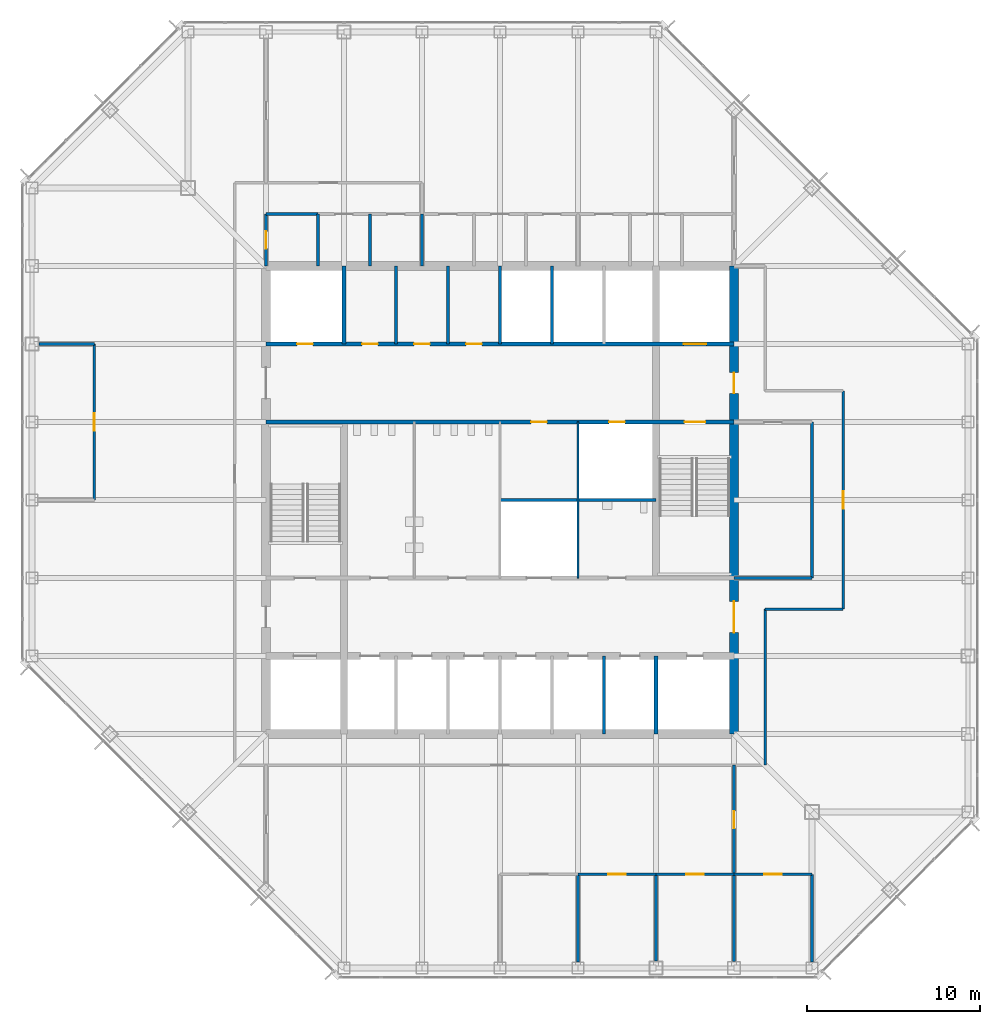
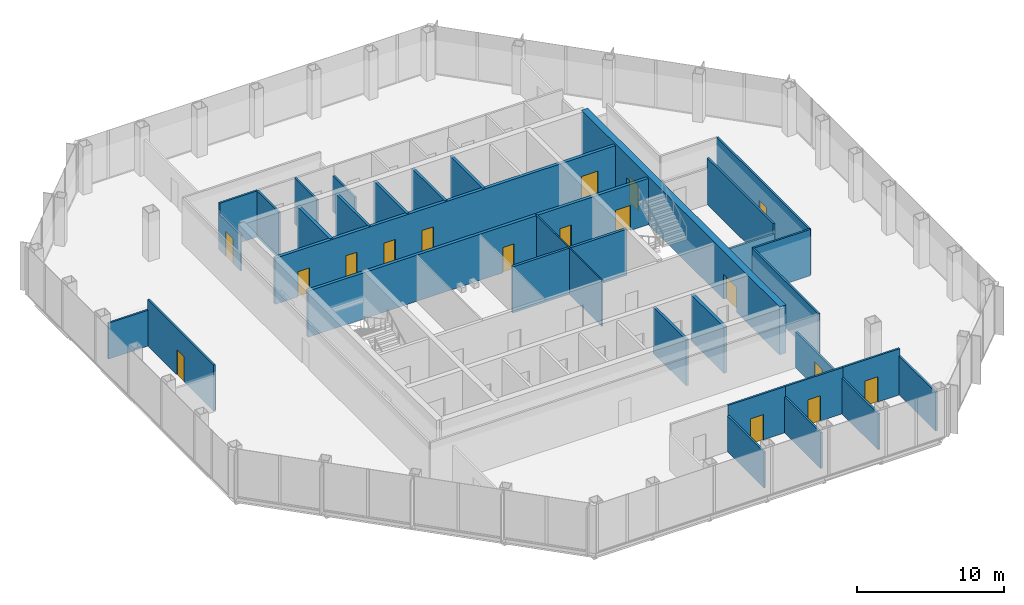
# One storey, part 9 of 12: 32 walls, 17 doors, 17 openings.
"""IFC4 building model written with IfcOpenShell, lengths in metres."""

from ifc_helpers import new_model, si_unit, direction, frame, frame_2d, origin, place, context, subcontext, project, spatial, rectangle, extrude, material, layer, layer_set, type_object, element, fill, save


model = new_model("IFC4")

# Units and contexts
model_context = context("Model", 3, precision=1e-05, world=origin(), true_north=direction((0.0, 1.0)))
body_context = subcontext(model_context, "Body", "Model", "MODEL_VIEW")
ifc_project = project(units=[si_unit("LENGTHUNIT", "METRE"), si_unit("AREAUNIT", "SQUARE_METRE"), si_unit("VOLUMEUNIT", "CUBIC_METRE"), si_unit("PLANEANGLEUNIT", "RADIAN"), si_unit("MASSUNIT", "GRAM", prefix="KILO")], contexts=[model_context])

# Site, building, storey
site_placement = place(None, origin())
site = spatial("IfcSite", under=ifc_project, at=site_placement, CompositionType="ELEMENT")
building_placement = place(site_placement, origin())
building = spatial("IfcBuilding", under=site, at=building_placement, Name="Corais Broadcast Tower", CompositionType="ELEMENT")
storey_placement = place(building_placement, frame((0.0, 0.0, 159.60009765625)))
storey = spatial("IfcBuildingStorey", under=building, at=storey_placement, Name="L36", CompositionType="ELEMENT", Elevation=159.60009765625)

# Walls
ifc_material_1 = material(Name="Concrete blockwork class A, grouted, two-hour", Category="masonry")
ifc_layer_1 = layer(ifc_material_1, 0.25)
ifc_layer_set_1 = layer_set([ifc_layer_1], Name="Concrete blockwork class A, grouted, two-hour")
wall_type_1 = type_object("IfcWallType", Name="Core lobby wall 250", PredefinedType="SOLIDWALL", material=ifc_layer_set_1)
for number, where, z_axis, x_axis, name in (
    (1, (18.0, 36.0, 0.0), (0.0, 0.0, 1.0), (0.0, 1.0, 0.0), "CL2 core shaft wall X18B L36"),
    (2, (36.0, 13.5, 0.0), (0.0, 0.0, 1.0), (0.0, 1.0, 0.0), "CL2 core shaft wall X36A L36"),
):
    element("IfcWall", number, at=place(storey_placement, frame(where, z_axis=z_axis, x_axis=x_axis)), inside=storey, type_object=wall_type_1, Name=name, PredefinedType="SOLIDWALL", context=body_context, shape_type="SweptSolid", body=[
        extrude(rectangle(XDim=4.5, YDim=0.25, at=frame_2d((2.25, 0.0))), origin(), (0.0, 0.0, 1.0), 3.83984375),
    ])

# Wall, openings, doors
wall_1_placement = place(storey_placement, frame((13.5, 31.5, 0.0), z_axis=(0.0, 0.0, 1.0), x_axis=(1.0, 0.0, 0.0)))
wall_1 = element("IfcWall", 3, at=wall_1_placement, inside=storey, type_object=wall_type_1, Name="CL2 core lobby wall Y315 L36", PredefinedType="SOLIDWALL", context=body_context, shape_type="SweptSolid", body=[
    extrude(rectangle(XDim=27.0, YDim=0.25, at=frame_2d((13.5, 0.0))), origin(), (0.0, 0.0, 1.0), 3.83984375),
])
opening_1_placement = place(wall_1_placement, frame((24.14990234375, 0.0, 0.0)))
opening_1 = element("IfcOpeningElement", 4, at=opening_1_placement, cuts=wall_1, Name="Opening FD1", PredefinedType="OPENING", context=body_context, shape_type="SweptSolid", body=[
    extrude(rectangle(XDim=1.199951171875, YDim=2.10009765625, at=frame_2d((0.60009765625, 1.050048828125))), frame((0.0, 0.135009765625, 0.0), z_axis=(0.0, -1.0, 0.0), x_axis=(1.0, 0.0, 0.0)), (0.0, 0.0, 1.0), 0.27001953125),
])
opening_2_placement = place(wall_1_placement, frame((15.300048828125, 0.0, 0.0)))
opening_2 = element("IfcOpeningElement", 5, at=opening_2_placement, cuts=wall_1, Name="Opening RD1", PredefinedType="OPENING", context=body_context, shape_type="SweptSolid", body=[
    extrude(rectangle(XDim=0.89990234375, YDim=2.10009765625, at=frame_2d((0.449951171875, 1.050048828125))), frame((0.0, 0.135009765625, 0.0), z_axis=(0.0, -1.0, 0.0), x_axis=(1.0, 0.0, 0.0)), (0.0, 0.0, 1.0), 0.27001953125),
])
opening_3_placement = place(wall_1_placement, frame((19.800048828125, 0.0, 0.0)))
opening_3 = element("IfcOpeningElement", 6, at=opening_3_placement, cuts=wall_1, Name="Opening RD1", PredefinedType="OPENING", context=body_context, shape_type="SweptSolid", body=[
    extrude(rectangle(XDim=0.89990234375, YDim=2.10009765625, at=frame_2d((0.449951171875, 1.050048828125))), frame((0.0, 0.135009765625, 0.0), z_axis=(0.0, -1.0, 0.0), x_axis=(1.0, 0.0, 0.0)), (0.0, 0.0, 1.0), 0.27001953125),
])
ifc_material_2 = material(Name="Steel fire door", Category="steel")
door_type_1 = type_object("IfcDoorType", Name="Fire door 1200x2100", OperationType="SINGLE_SWING_LEFT", PredefinedType="DOOR", material=ifc_material_2)
door_1_placement = place(opening_1_placement, origin())
door_1 = element("IfcDoor", 7, at=door_1_placement, inside=storey, type_object=door_type_1, Name="FD1 stair B door L36", OperationType="SINGLE_SWING_RIGHT", OverallHeight=2.10009765625, OverallWidth=1.199951171875, PredefinedType="DOOR", context=body_context, shape_type="SweptSolid", body=[
    extrude(rectangle(XDim=1.199951171875, YDim=2.10009765625, at=frame_2d((0.60009765625, 1.050048828125))), frame((0.0, 0.02490234375, 0.0), z_axis=(0.0, -1.0, 0.0), x_axis=(1.0, 0.0, 0.0)), (0.0, 0.0, 1.0), 0.050048828125),
])
fill(opening_1, door_1)
ifc_material_3 = material(Name="Steel fire door", Category="steel")
door_type_2 = type_object("IfcDoorType", Name="Riser door 900x2100", OperationType="SINGLE_SWING_LEFT", PredefinedType="DOOR", material=ifc_material_3)
door_2_placement = place(opening_2_placement, origin())
door_2 = element("IfcDoor", 8, at=door_2_placement, inside=storey, type_object=door_type_2, Name="RD1 tea point door L36", OperationType="SINGLE_SWING_RIGHT", OverallHeight=2.10009765625, OverallWidth=0.89990234375, PredefinedType="DOOR", context=body_context, shape_type="SweptSolid", body=[
    extrude(rectangle(XDim=0.89990234375, YDim=2.10009765625, at=frame_2d((0.449951171875, 1.050048828125))), frame((0.0, 0.02490234375, 0.0), z_axis=(0.0, -1.0, 0.0), x_axis=(1.0, 0.0, 0.0)), (0.0, 0.0, 1.0), 0.050048828125),
])
fill(opening_2, door_2)
door_3_placement = place(opening_3_placement, origin())
door_3 = element("IfcDoor", 9, at=door_3_placement, inside=storey, type_object=door_type_2, Name="RD1 riser door L36", OperationType="SINGLE_SWING_RIGHT", OverallHeight=2.10009765625, OverallWidth=0.89990234375, PredefinedType="DOOR", context=body_context, shape_type="SweptSolid", body=[
    extrude(rectangle(XDim=0.89990234375, YDim=2.10009765625, at=frame_2d((0.449951171875, 1.050048828125))), frame((0.0, 0.02490234375, 0.0), z_axis=(0.0, -1.0, 0.0), x_axis=(1.0, 0.0, 0.0)), (0.0, 0.0, 1.0), 0.050048828125),
])
fill(opening_3, door_3)

ifc_material_4 = material(Name="Concrete C50/60", Category="concrete")
ifc_layer_2 = layer(ifc_material_4, 0.5)
ifc_layer_set_2 = layer_set([ifc_layer_2], Name="Concrete C50/60")
wall_type_2 = type_object("IfcWallType", Name="Core wall 500", PredefinedType="SHEAR", material=ifc_layer_set_2)
wall_2_placement = place(storey_placement, frame((40.5, 13.5, 0.0), z_axis=(0.0, 0.0, 1.0), x_axis=(0.0, 1.0, 0.0)))
wall_2 = element("IfcWall", 10, at=wall_2_placement, inside=storey, type_object=wall_type_2, Name="CR500 core wall E L36", PredefinedType="SHEAR", context=body_context, shape_type="SweptSolid", body=[
    extrude(rectangle(XDim=27.0, YDim=0.5, at=frame_2d((13.5, 0.0))), origin(), (0.0, 0.0, 1.0), 4.0),
])
opening_4_placement = place(wall_2_placement, frame((5.85009765625, 0.0, 0.0)))
opening_4 = element("IfcOpeningElement", 11, at=opening_4_placement, cuts=wall_2, Name="Opening FD2", PredefinedType="OPENING", context=body_context, shape_type="SweptSolid", body=[
    extrude(rectangle(XDim=1.800048828125, YDim=2.10009765625, at=frame_2d((0.89990234375, 1.050048828125))), frame((0.0, 0.260009765625, 0.0), z_axis=(0.0, -1.0, 0.0), x_axis=(1.0, 0.0, 0.0)), (0.0, 0.0, 1.0), 0.52001953125),
])
opening_5_placement = place(wall_2_placement, frame((19.64990234375, 0.0, 0.0)))
opening_5 = element("IfcOpeningElement", 12, at=opening_5_placement, cuts=wall_2, Name="Opening FD1", PredefinedType="OPENING", context=body_context, shape_type="SweptSolid", body=[
    extrude(rectangle(XDim=1.199951171875, YDim=2.10009765625, at=frame_2d((0.60009765625, 1.050048828125))), frame((0.0, 0.260009765625, 0.0), z_axis=(0.0, -1.0, 0.0), x_axis=(1.0, 0.0, 0.0)), (0.0, 0.0, 1.0), 0.52001953125),
])
door_4_placement = place(opening_5_placement, origin())
door_4 = element("IfcDoor", 13, at=door_4_placement, inside=storey, type_object=door_type_1, Name="FD1 fire lobby B door L36", OperationType="SINGLE_SWING_RIGHT", OverallHeight=2.10009765625, OverallWidth=1.199951171875, PredefinedType="DOOR", context=body_context, shape_type="SweptSolid", body=[
    extrude(rectangle(XDim=1.199951171875, YDim=2.10009765625, at=frame_2d((0.60009765625, 1.050048828125))), frame((0.0, 0.02490234375, 0.0), z_axis=(0.0, -1.0, 0.0), x_axis=(1.0, 0.0, 0.0)), (0.0, 0.0, 1.0), 0.050048828125),
])
fill(opening_5, door_4)
ifc_material_5 = material(Name="Steel fire door", Category="steel")
door_type_3 = type_object("IfcDoorType", Name="Fire door pair 1800x2100", OperationType="DOUBLE_DOOR_SINGLE_SWING", PredefinedType="DOOR", material=ifc_material_5)
door_5_placement = place(opening_4_placement, origin())
door_5 = element("IfcDoor", 14, at=door_5_placement, inside=storey, type_object=door_type_3, Name="FD2 lift lobby door L36", OperationType="SINGLE_SWING_LEFT", OverallHeight=2.10009765625, OverallWidth=1.800048828125, PredefinedType="DOOR", context=body_context, shape_type="SweptSolid", body=[
    extrude(rectangle(XDim=1.800048828125, YDim=2.10009765625, at=frame_2d((0.89990234375, 1.050048828125))), frame((0.0, 0.02490234375, 0.0), z_axis=(0.0, -1.0, 0.0), x_axis=(1.0, 0.0, 0.0)), (0.0, 0.0, 1.0), 0.050048828125),
])
fill(opening_4, door_5)

ifc_material_6 = material(Name="Concrete blockwork class A, grouted, four-hour", Category="masonry")
ifc_layer_3 = layer(ifc_material_6, 0.25)
ifc_layer_set_3 = layer_set([ifc_layer_3], Name="Concrete blockwork class A, grouted, four-hour")
wall_type_3 = type_object("IfcWallType", Name="Emergency lift shaft wall 250", PredefinedType="SOLIDWALL", material=ifc_layer_set_3)
wall_3_placement = place(storey_placement, frame((13.5, 36.0, 0.0), z_axis=(0.0, 0.0, 1.0), x_axis=(1.0, 0.0, 0.0)))
wall_3 = element("IfcWall", 15, at=wall_3_placement, inside=storey, type_object=wall_type_3, Name="LS2 core lobby wall Y36 L36", PredefinedType="SOLIDWALL", context=body_context, shape_type="SweptSolid", body=[
    extrude(rectangle(XDim=27.0, YDim=0.25, at=frame_2d((13.5, 0.0))), origin(), (0.0, 0.0, 1.0), 3.83984375),
])
opening_6_placement = place(wall_3_placement, frame((1.800048828125, 0.0, 0.0)))
opening_6 = element("IfcOpeningElement", 16, at=opening_6_placement, cuts=wall_3, Name="Opening RD1", PredefinedType="OPENING", context=body_context, shape_type="SweptSolid", body=[
    extrude(rectangle(XDim=0.89990234375, YDim=2.10009765625, at=frame_2d((0.449951171875, 1.050048828125))), frame((0.0, 0.135009765625, 0.0), z_axis=(0.0, -1.0, 0.0), x_axis=(1.0, 0.0, 0.0)), (0.0, 0.0, 1.0), 0.27001953125),
])
opening_7_placement = place(wall_3_placement, frame((5.550048828125, 0.0, 0.0)))
opening_7 = element("IfcOpeningElement", 17, at=opening_7_placement, cuts=wall_3, Name="Opening RD1", PredefinedType="OPENING", context=body_context, shape_type="SweptSolid", body=[
    extrude(rectangle(XDim=0.89990234375, YDim=2.10009765625, at=frame_2d((0.449951171875, 1.050048828125))), frame((0.0, 0.135009765625, 0.0), z_axis=(0.0, -1.0, 0.0), x_axis=(1.0, 0.0, 0.0)), (0.0, 0.0, 1.0), 0.27001953125),
])
opening_8_placement = place(wall_3_placement, frame((8.550048828125, 0.0, 0.0)))
opening_8 = element("IfcOpeningElement", 18, at=opening_8_placement, cuts=wall_3, Name="Opening RD1", PredefinedType="OPENING", context=body_context, shape_type="SweptSolid", body=[
    extrude(rectangle(XDim=0.89990234375, YDim=2.10009765625, at=frame_2d((0.449951171875, 1.050048828125))), frame((0.0, 0.135009765625, 0.0), z_axis=(0.0, -1.0, 0.0), x_axis=(1.0, 0.0, 0.0)), (0.0, 0.0, 1.0), 0.27001953125),
])
opening_9_placement = place(wall_3_placement, frame((11.550048828125, 0.0, 0.0)))
opening_9 = element("IfcOpeningElement", 19, at=opening_9_placement, cuts=wall_3, Name="Opening RD1", PredefinedType="OPENING", context=body_context, shape_type="SweptSolid", body=[
    extrude(rectangle(XDim=0.89990234375, YDim=2.10009765625, at=frame_2d((0.449951171875, 1.050048828125))), frame((0.0, 0.135009765625, 0.0), z_axis=(0.0, -1.0, 0.0), x_axis=(1.0, 0.0, 0.0)), (0.0, 0.0, 1.0), 0.27001953125),
])
opening_10_placement = place(wall_3_placement, frame((24.10009765625, 0.0, 0.0)))
opening_10 = element("IfcOpeningElement", 20, at=opening_10_placement, cuts=wall_3, Name="Opening LD2", PredefinedType="OPENING", context=body_context, shape_type="SweptSolid", body=[
    extrude(rectangle(XDim=1.300048828125, YDim=2.199951171875, at=frame_2d((0.64990234375, 1.10009765625))), frame((0.0, 0.135009765625, 0.0), z_axis=(0.0, -1.0, 0.0), x_axis=(1.0, 0.0, 0.0)), (0.0, 0.0, 1.0), 0.27001953125),
])
ifc_material_7 = material(Name="Stainless steel lift door", Category="steel")
door_type_4 = type_object("IfcDoorType", Name="Lift landing door 1300x2200", OperationType="SLIDING_TO_LEFT", PredefinedType="DOOR", material=ifc_material_7)
door_6_placement = place(opening_10_placement, origin())
door_6 = element("IfcDoor", 21, at=door_6_placement, inside=storey, type_object=door_type_4, Name="LD2 FL2 landing door L36", OperationType="SLIDING_TO_LEFT", OverallHeight=2.199951171875, OverallWidth=1.300048828125, PredefinedType="DOOR", context=body_context, shape_type="SweptSolid", body=[
    extrude(rectangle(XDim=1.300048828125, YDim=2.199951171875, at=frame_2d((0.64990234375, 1.10009765625))), frame((0.0, 0.02490234375, 0.0), z_axis=(0.0, -1.0, 0.0), x_axis=(1.0, 0.0, 0.0)), (0.0, 0.0, 1.0), 0.050048828125),
])
fill(opening_10, door_6)
door_7_placement = place(opening_6_placement, origin())
door_7 = element("IfcDoor", 22, at=door_7_placement, inside=storey, type_object=door_type_2, Name="RD1 riser door L36", OperationType="SINGLE_SWING_LEFT", OverallHeight=2.10009765625, OverallWidth=0.89990234375, PredefinedType="DOOR", context=body_context, shape_type="SweptSolid", body=[
    extrude(rectangle(XDim=0.89990234375, YDim=2.10009765625, at=frame_2d((0.449951171875, 1.050048828125))), frame((0.0, 0.02490234375, 0.0), z_axis=(0.0, -1.0, 0.0), x_axis=(1.0, 0.0, 0.0)), (0.0, 0.0, 1.0), 0.050048828125),
])
fill(opening_6, door_7)
door_8_placement = place(opening_7_placement, origin())
door_8 = element("IfcDoor", 23, at=door_8_placement, inside=storey, type_object=door_type_2, Name="RD1 media store door L36", OperationType="SINGLE_SWING_LEFT", OverallHeight=2.10009765625, OverallWidth=0.89990234375, PredefinedType="DOOR", context=body_context, shape_type="SweptSolid", body=[
    extrude(rectangle(XDim=0.89990234375, YDim=2.10009765625, at=frame_2d((0.449951171875, 1.050048828125))), frame((0.0, 0.02490234375, 0.0), z_axis=(0.0, -1.0, 0.0), x_axis=(1.0, 0.0, 0.0)), (0.0, 0.0, 1.0), 0.050048828125),
])
fill(opening_7, door_8)
door_9_placement = place(opening_8_placement, origin())
door_9 = element("IfcDoor", 24, at=door_9_placement, inside=storey, type_object=door_type_2, Name="RD1 locker room door L36", OperationType="SINGLE_SWING_LEFT", OverallHeight=2.10009765625, OverallWidth=0.89990234375, PredefinedType="DOOR", context=body_context, shape_type="SweptSolid", body=[
    extrude(rectangle(XDim=0.89990234375, YDim=2.10009765625, at=frame_2d((0.449951171875, 1.050048828125))), frame((0.0, 0.02490234375, 0.0), z_axis=(0.0, -1.0, 0.0), x_axis=(1.0, 0.0, 0.0)), (0.0, 0.0, 1.0), 0.050048828125),
])
fill(opening_8, door_9)
door_10_placement = place(opening_9_placement, origin())
door_10 = element("IfcDoor", 25, at=door_10_placement, inside=storey, type_object=door_type_2, Name="RD1 print room door L36", OperationType="SINGLE_SWING_LEFT", OverallHeight=2.10009765625, OverallWidth=0.89990234375, PredefinedType="DOOR", context=body_context, shape_type="SweptSolid", body=[
    extrude(rectangle(XDim=0.89990234375, YDim=2.10009765625, at=frame_2d((0.449951171875, 1.050048828125))), frame((0.0, 0.02490234375, 0.0), z_axis=(0.0, -1.0, 0.0), x_axis=(1.0, 0.0, 0.0)), (0.0, 0.0, 1.0), 0.050048828125),
])
fill(opening_9, door_10)

# Wall, opening, door
ifc_material_8 = material(Name="Gypsum board on steel studs", Category="steel")
ifc_layer_4 = layer(ifc_material_8, 0.14990234375)
ifc_layer_set_4 = layer_set([ifc_layer_4], Name="Gypsum board on steel studs")
wall_type_4 = type_object("IfcWallType", Name="Partition 150", PredefinedType="PARTITIONING", material=ifc_layer_set_4)
wall_4_placement = place(storey_placement, frame((46.800048828125, 20.699951171875, 0.0), z_axis=(0.0, 0.0, 1.0), x_axis=(0.0, 1.0, 0.0)))
wall_4 = element("IfcWall", 26, at=wall_4_placement, inside=storey, type_object=wall_type_4, Name="IW3 corridor wall L36", PredefinedType="PARTITIONING", context=body_context, shape_type="SweptSolid", body=[
    extrude(rectangle(XDim=12.60009765625, YDim=0.14990234375, at=frame_2d((6.300048828125, 0.0))), origin(), (0.0, 0.0, 1.0), 3.83984375),
])
opening_11_placement = place(wall_4_placement, frame((5.800048828125, 0.0, 0.0)))
opening_11 = element("IfcOpeningElement", 27, at=opening_11_placement, cuts=wall_4, Name="Opening D1", PredefinedType="OPENING", context=body_context, shape_type="SweptSolid", body=[
    extrude(rectangle(XDim=1.0, YDim=2.10009765625, at=frame_2d((0.5, 1.050048828125))), frame((0.0, 0.0849609375, 0.0), z_axis=(0.0, -1.0, 0.0), x_axis=(1.0, 0.0, 0.0)), (0.0, 0.0, 1.0), 0.169921875),
])
ifc_material_9 = material(Name="Timber door", Category="wood")
door_type_5 = type_object("IfcDoorType", Name="Single door 1000x2100", OperationType="SINGLE_SWING_LEFT", PredefinedType="DOOR", material=ifc_material_9)
door_11_placement = place(opening_11_placement, origin())
door_11 = element("IfcDoor", 28, at=door_11_placement, inside=storey, type_object=door_type_5, Name="D1 workplace door L36", OperationType="SINGLE_SWING_LEFT", OverallHeight=2.10009765625, OverallWidth=1.0, PredefinedType="DOOR", context=body_context, shape_type="SweptSolid", body=[
    extrude(rectangle(XDim=1.0, YDim=2.10009765625, at=frame_2d((0.5, 1.050048828125))), frame((0.0, 0.02490234375, 0.0), z_axis=(0.0, -1.0, 0.0), x_axis=(1.0, 0.0, 0.0)), (0.0, 0.0, 1.0), 0.050048828125),
])
fill(opening_11, door_11)

# Walls
wall_5_placement = place(storey_placement, frame((42.300048828125, 11.699951171875, 0.0), z_axis=(0.0, 0.0, 1.0), x_axis=(0.0, 1.0, 0.0)))
element("IfcWall", 29, at=wall_5_placement, inside=storey, type_object=wall_type_4, Name="IW3 corridor wall L36", PredefinedType="PARTITIONING", context=body_context, shape_type="SweptSolid", body=[
    extrude(rectangle(XDim=9.0, YDim=0.14990234375, at=frame_2d((4.5, 0.0))), origin(), (0.0, 0.0, 1.0), 3.83984375),
])
wall_6_placement = place(storey_placement, frame((42.300048828125, 20.699951171875, 0.0), z_axis=(0.0, 0.0, 1.0), x_axis=(1.0, 0.0, 0.0)))
element("IfcWall", 30, at=wall_6_placement, inside=storey, type_object=wall_type_4, Name="IW3 corridor wall L36", PredefinedType="PARTITIONING", context=body_context, shape_type="SweptSolid", body=[
    extrude(rectangle(XDim=4.5, YDim=0.14990234375, at=frame_2d((2.25, 0.0))), origin(), (0.0, 0.0, 1.0), 3.83984375),
])
for number, where, z_axis, x_axis, name in (
    (31, (16.5, 40.5, 0.0), (0.0, 0.0, 1.0), (0.0, 1.0, 0.0), "IW3 partition L36"),
    (32, (16.5, 43.5, 0.0), (0.0, 0.0, 1.0), (-1.0, 0.0, 0.0), "IW3 partition L36"),
):
    element("IfcWall", number, at=place(storey_placement, frame(where, z_axis=z_axis, x_axis=x_axis)), inside=storey, type_object=wall_type_4, Name=name, PredefinedType="PARTITIONING", context=body_context, shape_type="SweptSolid", body=[
        extrude(rectangle(XDim=3.0, YDim=0.14990234375, at=frame_2d((1.5, 0.0))), origin(), (0.0, 0.0, 1.0), 3.83984375),
    ])

# Wall, opening, door
wall_7_placement = place(storey_placement, frame((13.5, 43.5, 0.0), z_axis=(0.0, 0.0, 1.0), x_axis=(0.0, -1.0, 0.0)))
wall_7 = element("IfcWall", 33, at=wall_7_placement, inside=storey, type_object=wall_type_4, Name="IW3 partition L36", PredefinedType="PARTITIONING", context=body_context, shape_type="SweptSolid", body=[
    extrude(rectangle(XDim=3.0, YDim=0.14990234375, at=frame_2d((1.5, 0.0))), origin(), (0.0, 0.0, 1.0), 2.989013671875),
])
opening_12_placement = place(wall_7_placement, frame((1.0, 0.0, 0.0)))
opening_12 = element("IfcOpeningElement", 34, at=opening_12_placement, cuts=wall_7, Name="Opening D1", PredefinedType="OPENING", context=body_context, shape_type="SweptSolid", body=[
    extrude(rectangle(XDim=1.0, YDim=2.10009765625, at=frame_2d((0.5, 1.050048828125))), frame((0.0, 0.0849609375, 0.0), z_axis=(0.0, -1.0, 0.0), x_axis=(1.0, 0.0, 0.0)), (0.0, 0.0, 1.0), 0.169921875),
])
door_12_placement = place(opening_12_placement, origin())
door_12 = element("IfcDoor", 35, at=door_12_placement, inside=storey, type_object=door_type_5, Name="D1 Podcast booth door", OperationType="SINGLE_SWING_LEFT", OverallHeight=2.10009765625, OverallWidth=1.0, PredefinedType="DOOR", context=body_context, shape_type="SweptSolid", body=[
    extrude(rectangle(XDim=1.0, YDim=2.10009765625, at=frame_2d((0.5, 1.050048828125))), frame((0.0, 0.02490234375, 0.0), z_axis=(0.0, -1.0, 0.0), x_axis=(1.0, 0.0, 0.0)), (0.0, 0.0, 1.0), 0.050048828125),
])
fill(opening_12, door_12)

# Walls
wall_8_placement = place(storey_placement, frame((19.5, 40.5, 0.0), z_axis=(0.0, 0.0, 1.0), x_axis=(0.0, 1.0, 0.0)))
element("IfcWall", 36, at=wall_8_placement, inside=storey, type_object=wall_type_4, Name="IW3 partition L36", PredefinedType="PARTITIONING", context=body_context, shape_type="SweptSolid", body=[
    extrude(rectangle(XDim=3.0, YDim=0.14990234375, at=frame_2d((1.5, 0.0))), origin(), (0.0, 0.0, 1.0), 3.83984375),
])
wall_9_placement = place(storey_placement, frame((22.5, 40.5, 0.0), z_axis=(0.0, 0.0, 1.0), x_axis=(0.0, 1.0, 0.0)))
element("IfcWall", 37, at=wall_9_placement, inside=storey, type_object=wall_type_4, Name="IW3 partition L36", PredefinedType="PARTITIONING", context=body_context, shape_type="SweptSolid", body=[
    extrude(rectangle(XDim=3.0, YDim=0.14990234375, at=frame_2d((1.5, 0.0))), origin(), (0.0, 0.0, 1.0), 2.989013671875),
])
wall_10_placement = place(storey_placement, frame((31.5, 0.360107421875, 0.0), z_axis=(0.0, 0.0, 1.0), x_axis=(0.0, 1.0, 0.0)))
element("IfcWall", 38, at=wall_10_placement, inside=storey, type_object=wall_type_4, Name="IW3 partition L36", PredefinedType="PARTITIONING", context=body_context, shape_type="SweptSolid", body=[
    extrude(rectangle(XDim=5.039794921875, YDim=0.14990234375, at=frame_2d((2.52001953125, 0.0))), origin(), (0.0, 0.0, 1.0), 2.989013671875),
])
wall_11_placement = place(storey_placement, frame((36.0, 0.409912109375, 0.0), z_axis=(0.0, 0.0, 1.0), x_axis=(0.0, 1.0, 0.0)))
element("IfcWall", 39, at=wall_11_placement, inside=storey, type_object=wall_type_4, Name="IW3 partition L36", PredefinedType="PARTITIONING", context=body_context, shape_type="SweptSolid", body=[
    extrude(rectangle(XDim=4.989990234375, YDim=0.14990234375, at=frame_2d((2.4951171875, 0.0))), origin(), (0.0, 0.0, 1.0), 2.989013671875),
])

# Wall, opening, door
wall_12_placement = place(storey_placement, frame((36.0, 5.39990234375, 0.0), z_axis=(0.0, 0.0, 1.0), x_axis=(-1.0, 0.0, 0.0)))
wall_12 = element("IfcWall", 40, at=wall_12_placement, inside=storey, type_object=wall_type_4, Name="IW3 partition L36", PredefinedType="PARTITIONING", context=body_context, shape_type="SweptSolid", body=[
    extrude(rectangle(XDim=4.5, YDim=0.14990234375, at=frame_2d((2.25, 0.0))), origin(), (0.0, 0.0, 1.0), 3.83984375),
])
opening_13_placement = place(wall_12_placement, frame((1.75, 0.0, 0.0)))
opening_13 = element("IfcOpeningElement", 41, at=opening_13_placement, cuts=wall_12, Name="Opening D1", PredefinedType="OPENING", context=body_context, shape_type="SweptSolid", body=[
    extrude(rectangle(XDim=1.0, YDim=2.10009765625, at=frame_2d((0.5, 1.050048828125))), frame((0.0, 0.0849609375, 0.0), z_axis=(0.0, -1.0, 0.0), x_axis=(1.0, 0.0, 0.0)), (0.0, 0.0, 1.0), 0.169921875),
])
door_13_placement = place(opening_13_placement, origin())
door_13 = element("IfcDoor", 42, at=door_13_placement, inside=storey, type_object=door_type_5, Name="D1 Office door", OperationType="SINGLE_SWING_LEFT", OverallHeight=2.10009765625, OverallWidth=1.0, PredefinedType="DOOR", context=body_context, shape_type="SweptSolid", body=[
    extrude(rectangle(XDim=1.0, YDim=2.10009765625, at=frame_2d((0.5, 1.050048828125))), frame((0.0, 0.02490234375, 0.0), z_axis=(0.0, -1.0, 0.0), x_axis=(1.0, 0.0, 0.0)), (0.0, 0.0, 1.0), 0.050048828125),
])
fill(opening_13, door_13)

# Wall
wall_13_placement = place(storey_placement, frame((40.5, 0.385009765625, 0.0), z_axis=(0.0, 0.0, 1.0), x_axis=(0.0, 1.0, 0.0)))
element("IfcWall", 43, at=wall_13_placement, inside=storey, type_object=wall_type_4, Name="IW3 partition L36", PredefinedType="PARTITIONING", context=body_context, shape_type="SweptSolid", body=[
    extrude(rectangle(XDim=5.014892578125, YDim=0.14990234375, at=frame_2d((2.50732421875, 0.0))), origin(), (0.0, 0.0, 1.0), 2.989013671875),
])

# Wall, opening, door
wall_14_placement = place(storey_placement, frame((40.5, 5.39990234375, 0.0), z_axis=(0.0, 0.0, 1.0), x_axis=(-1.0, 0.0, 0.0)))
wall_14 = element("IfcWall", 44, at=wall_14_placement, inside=storey, type_object=wall_type_4, Name="IW3 partition L36", PredefinedType="PARTITIONING", context=body_context, shape_type="SweptSolid", body=[
    extrude(rectangle(XDim=4.5, YDim=0.14990234375, at=frame_2d((2.25, 0.0))), origin(), (0.0, 0.0, 1.0), 3.83984375),
])
opening_14_placement = place(wall_14_placement, frame((1.75, 0.0, 0.0)))
opening_14 = element("IfcOpeningElement", 45, at=opening_14_placement, cuts=wall_14, Name="Opening D1", PredefinedType="OPENING", context=body_context, shape_type="SweptSolid", body=[
    extrude(rectangle(XDim=1.0, YDim=2.10009765625, at=frame_2d((0.5, 1.050048828125))), frame((0.0, 0.0849609375, 0.0), z_axis=(0.0, -1.0, 0.0), x_axis=(1.0, 0.0, 0.0)), (0.0, 0.0, 1.0), 0.169921875),
])
door_14_placement = place(opening_14_placement, origin())
door_14 = element("IfcDoor", 46, at=door_14_placement, inside=storey, type_object=door_type_5, Name="D1 Office door", OperationType="SINGLE_SWING_LEFT", OverallHeight=2.10009765625, OverallWidth=1.0, PredefinedType="DOOR", context=body_context, shape_type="SweptSolid", body=[
    extrude(rectangle(XDim=1.0, YDim=2.10009765625, at=frame_2d((0.5, 1.050048828125))), frame((0.0, 0.02490234375, 0.0), z_axis=(0.0, -1.0, 0.0), x_axis=(1.0, 0.0, 0.0)), (0.0, 0.0, 1.0), 0.050048828125),
])
fill(opening_14, door_14)

# Wall
wall_15_placement = place(storey_placement, frame((45.0, 0.360107421875, 0.0), z_axis=(0.0, 0.0, 1.0), x_axis=(0.0, 1.0, 0.0)))
element("IfcWall", 47, at=wall_15_placement, inside=storey, type_object=wall_type_4, Name="IW3 partition L36", PredefinedType="PARTITIONING", context=body_context, shape_type="SweptSolid", body=[
    extrude(rectangle(XDim=5.039794921875, YDim=0.14990234375, at=frame_2d((2.52001953125, 0.0))), origin(), (0.0, 0.0, 1.0), 3.22900390625),
])

# Wall, opening, door
wall_16_placement = place(storey_placement, frame((45.0, 5.39990234375, 0.0), z_axis=(0.0, 0.0, 1.0), x_axis=(-1.0, 0.0, 0.0)))
wall_16 = element("IfcWall", 48, at=wall_16_placement, inside=storey, type_object=wall_type_4, Name="IW3 partition L36", PredefinedType="PARTITIONING", context=body_context, shape_type="SweptSolid", body=[
    extrude(rectangle(XDim=4.5, YDim=0.14990234375, at=frame_2d((2.25, 0.0))), origin(), (0.0, 0.0, 1.0), 3.83984375),
])
opening_15_placement = place(wall_16_placement, frame((1.75, 0.0, 0.0)))
opening_15 = element("IfcOpeningElement", 49, at=opening_15_placement, cuts=wall_16, Name="Opening D1", PredefinedType="OPENING", context=body_context, shape_type="SweptSolid", body=[
    extrude(rectangle(XDim=1.0, YDim=2.10009765625, at=frame_2d((0.5, 1.050048828125))), frame((0.0, 0.0849609375, 0.0), z_axis=(0.0, -1.0, 0.0), x_axis=(1.0, 0.0, 0.0)), (0.0, 0.0, 1.0), 0.169921875),
])
door_15_placement = place(opening_15_placement, origin())
door_15 = element("IfcDoor", 50, at=door_15_placement, inside=storey, type_object=door_type_5, Name="D1 Office door", OperationType="SINGLE_SWING_LEFT", OverallHeight=2.10009765625, OverallWidth=1.0, PredefinedType="DOOR", context=body_context, shape_type="SweptSolid", body=[
    extrude(rectangle(XDim=1.0, YDim=2.10009765625, at=frame_2d((0.5, 1.050048828125))), frame((0.0, 0.02490234375, 0.0), z_axis=(0.0, -1.0, 0.0), x_axis=(1.0, 0.0, 0.0)), (0.0, 0.0, 1.0), 0.050048828125),
])
fill(opening_15, door_15)

# Walls
wall_17_placement = place(storey_placement, frame((40.5, 22.5, 0.0), z_axis=(0.0, 0.0, 1.0), x_axis=(1.0, 0.0, 0.0)))
element("IfcWall", 51, at=wall_17_placement, inside=storey, type_object=wall_type_4, Name="IW3 partition L36", PredefinedType="PARTITIONING", context=body_context, shape_type="SweptSolid", body=[
    extrude(rectangle(XDim=4.5, YDim=0.14990234375, at=frame_2d((2.25, 0.0))), origin(), (0.0, 0.0, 1.0), 2.989013671875),
])
wall_18_placement = place(storey_placement, frame((45.0, 22.5, 0.0), z_axis=(0.0, 0.0, 1.0), x_axis=(0.0, 1.0, 0.0)))
element("IfcWall", 52, at=wall_18_placement, inside=storey, type_object=wall_type_4, Name="IW3 partition L36", PredefinedType="PARTITIONING", context=body_context, shape_type="SweptSolid", body=[
    extrude(rectangle(XDim=9.0, YDim=0.14990234375, at=frame_2d((4.5, 0.0))), origin(), (0.0, 0.0, 1.0), 3.83984375),
])

# Wall, opening, door
wall_19_placement = place(storey_placement, frame((3.60009765625, 27.0, 0.0), z_axis=(0.0, 0.0, 1.0), x_axis=(0.0, 1.0, 0.0)))
wall_19 = element("IfcWall", 53, at=wall_19_placement, inside=storey, type_object=wall_type_4, Name="IW3 partition L36", PredefinedType="PARTITIONING", context=body_context, shape_type="SweptSolid", body=[
    extrude(rectangle(XDim=9.0, YDim=0.14990234375, at=frame_2d((4.5, 0.0))), origin(), (0.0, 0.0, 1.0), 3.83984375),
])
opening_16_placement = place(wall_19_placement, frame((4.0, 0.0, 0.0)))
opening_16 = element("IfcOpeningElement", 54, at=opening_16_placement, cuts=wall_19, Name="Opening D1", PredefinedType="OPENING", context=body_context, shape_type="SweptSolid", body=[
    extrude(rectangle(XDim=1.0, YDim=2.10009765625, at=frame_2d((0.5, 1.050048828125))), frame((0.0, 0.0849609375, 0.0), z_axis=(0.0, -1.0, 0.0), x_axis=(1.0, 0.0, 0.0)), (0.0, 0.0, 1.0), 0.169921875),
])
door_16_placement = place(opening_16_placement, origin())
door_16 = element("IfcDoor", 55, at=door_16_placement, inside=storey, type_object=door_type_5, Name="D1 Pantry door", OperationType="SINGLE_SWING_LEFT", OverallHeight=2.10009765625, OverallWidth=1.0, PredefinedType="DOOR", context=body_context, shape_type="SweptSolid", body=[
    extrude(rectangle(XDim=1.0, YDim=2.10009765625, at=frame_2d((0.5, 1.050048828125))), frame((0.0, 0.02490234375, 0.0), z_axis=(0.0, -1.0, 0.0), x_axis=(1.0, 0.0, 0.0)), (0.0, 0.0, 1.0), 0.050048828125),
])
fill(opening_16, door_16)

# Wall
wall_20_placement = place(storey_placement, frame((3.60009765625, 36.0, 0.0), z_axis=(0.0, 0.0, 1.0), x_axis=(-1.0, 0.0, 0.0)))
element("IfcWall", 56, at=wall_20_placement, inside=storey, type_object=wall_type_4, Name="IW3 partition L36", PredefinedType="PARTITIONING", context=body_context, shape_type="SweptSolid", body=[
    extrude(rectangle(XDim=3.190185546875, YDim=0.14990234375, at=frame_2d((1.59521484375, 0.0))), origin(), (0.0, 0.0, 1.0), 2.989013671875),
])

# Wall, opening, door
wall_21_placement = place(storey_placement, frame((40.5, 5.39990234375, 0.0), z_axis=(0.0, 0.0, 1.0), x_axis=(0.0, 1.0, 0.0)))
wall_21 = element("IfcWall", 57, at=wall_21_placement, inside=storey, type_object=wall_type_4, Name="IW3 partition L36", PredefinedType="PARTITIONING", context=body_context, shape_type="SweptSolid", body=[
    extrude(rectangle(XDim=6.300048828125, YDim=0.14990234375, at=frame_2d((3.14990234375, 0.0))), origin(), (0.0, 0.0, 1.0), 2.989013671875),
])
opening_17_placement = place(wall_21_placement, frame((2.64990234375, 0.0, 0.0)))
opening_17 = element("IfcOpeningElement", 58, at=opening_17_placement, cuts=wall_21, Name="Opening D1", PredefinedType="OPENING", context=body_context, shape_type="SweptSolid", body=[
    extrude(rectangle(XDim=1.0, YDim=2.10009765625, at=frame_2d((0.5, 1.050048828125))), frame((0.0, 0.0849609375, 0.0), z_axis=(0.0, -1.0, 0.0), x_axis=(1.0, 0.0, 0.0)), (0.0, 0.0, 1.0), 0.169921875),
])
door_17_placement = place(opening_17_placement, origin())
door_17 = element("IfcDoor", 59, at=door_17_placement, inside=storey, type_object=door_type_5, Name="D1 team room door L36", OperationType="SINGLE_SWING_LEFT", OverallHeight=2.10009765625, OverallWidth=1.0, PredefinedType="DOOR", context=body_context, shape_type="SweptSolid", body=[
    extrude(rectangle(XDim=1.0, YDim=2.10009765625, at=frame_2d((0.5, 1.050048828125))), frame((0.0, 0.02490234375, 0.0), z_axis=(0.0, -1.0, 0.0), x_axis=(1.0, 0.0, 0.0)), (0.0, 0.0, 1.0), 0.050048828125),
])
fill(opening_17, door_17)

# Walls
ifc_material_10 = material(Name="Concrete blockwork class A, grouted, two-hour", Category="masonry")
ifc_layer_5 = layer(ifc_material_10, 0.199951171875)
ifc_layer_set_5 = layer_set([ifc_layer_5], Name="Concrete blockwork class A, grouted, two-hour")
wall_type_5 = type_object("IfcWallType", Name="Shaft wall 200", PredefinedType="PARTITIONING", material=ifc_layer_set_5)
for number, where, z_axis, x_axis, name in (
    (60, (21.0, 36.0, 0.0), (0.0, 0.0, 1.0), (0.0, 1.0, 0.0), "IW1 shaft wall L36"),
    (61, (24.0, 36.0, 0.0), (0.0, 0.0, 1.0), (0.0, 1.0, 0.0), "IW1 shaft wall L36"),
    (62, (27.0, 36.0, 0.0), (0.0, 0.0, 1.0), (0.0, 1.0, 0.0), "IW1 shaft wall L36"),
    (63, (30.0, 36.0, 0.0), (0.0, 0.0, 1.0), (0.0, 1.0, 0.0), "IW1 shaft wall L36"),
    (64, (33.0, 13.5, 0.0), (0.0, 0.0, 1.0), (0.0, 1.0, 0.0), "IW1 shaft wall L36"),
):
    element("IfcWall", number, at=place(storey_placement, frame(where, z_axis=z_axis, x_axis=x_axis)), inside=storey, type_object=wall_type_5, Name=name, PredefinedType="PARTITIONING", context=body_context, shape_type="SweptSolid", body=[
        extrude(rectangle(XDim=4.5, YDim=0.199951171875, at=frame_2d((2.25, 0.0))), origin(), (0.0, 0.0, 1.0), 3.83984375),
    ])
wall_22_placement = place(storey_placement, frame((27.0, 27.0, 0.0), z_axis=(0.0, 0.0, 1.0), x_axis=(1.0, 0.0, 0.0)))
element("IfcWall", 65, at=wall_22_placement, inside=storey, type_object=wall_type_5, Name="IW1 shaft wall L36", PredefinedType="PARTITIONING", context=body_context, shape_type="SweptSolid", body=[
    extrude(rectangle(XDim=9.0, YDim=0.199951171875, at=frame_2d((4.5, 0.0))), origin(), (0.0, 0.0, 1.0), 3.83984375),
])
ifc_material_11 = material(Name="Dense concrete blockwork class A, tiled both faces", Category="masonry")
ifc_layer_6 = layer(ifc_material_11, 0.10009765625)
ifc_layer_set_6 = layer_set([ifc_layer_6], Name="Dense concrete blockwork class A, tiled both faces")
wall_type_6 = type_object("IfcWallType", Name="Toilet wall 100", PredefinedType="PLUMBINGWALL", material=ifc_layer_set_6)
wall_23_placement = place(storey_placement, frame((31.5, 22.5, 0.0), z_axis=(0.0, 0.0, 1.0), x_axis=(0.0, 1.0, 0.0)))
element("IfcWall", 66, at=wall_23_placement, inside=storey, type_object=wall_type_6, Name="IW2 toilet wall L36", PredefinedType="PLUMBINGWALL", context=body_context, shape_type="SweptSolid", body=[
    extrude(rectangle(XDim=9.0, YDim=0.10009765625, at=frame_2d((4.5, 0.0))), origin(), (0.0, 0.0, 1.0), 3.83984375),
])

save(model, "model.ifc")
